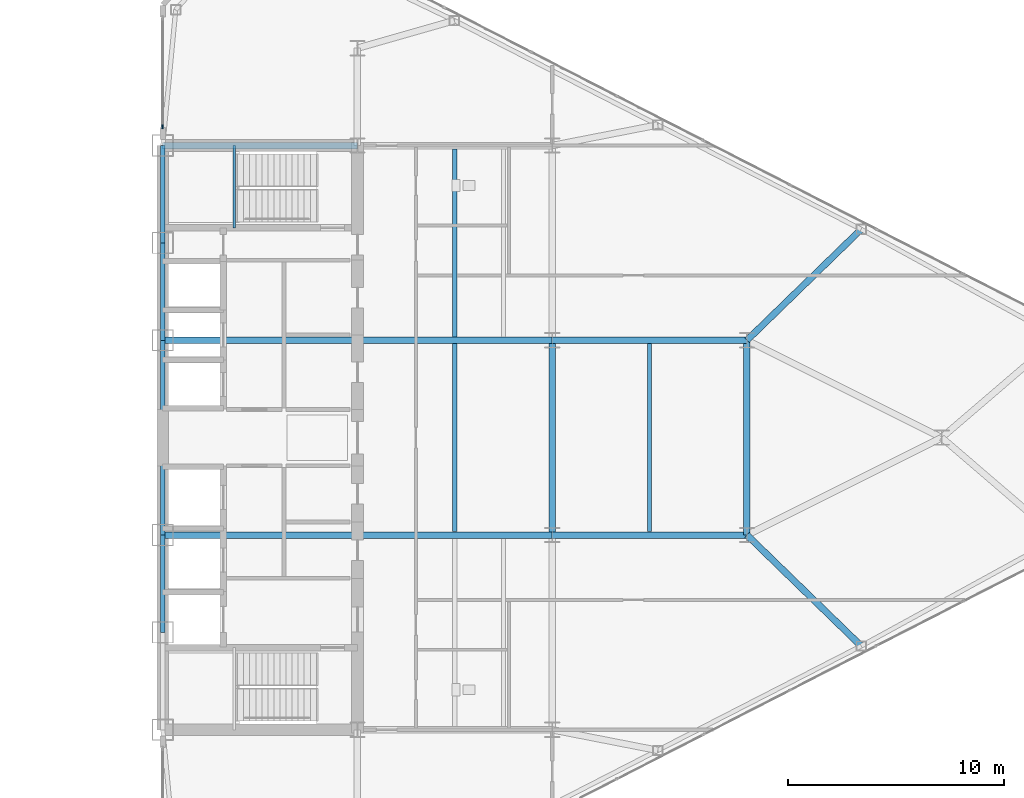
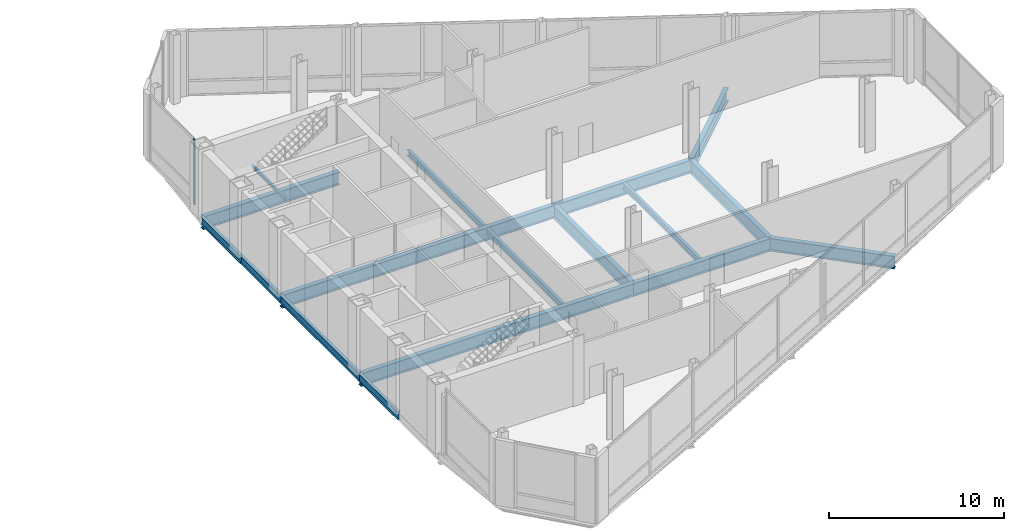
# One storey, part 10 of 22: 19 beams, 1 member, 1 element without a shape of its own.
"""IFC4 building model written with IfcOpenShell, lengths in metres."""

from ifc_helpers import new_model, si_unit, direction, frame, origin, origin_2d, place, context, subcontext, project, spatial, rectangle, i_section, extrude, source, transform, mapped, material, layer, layer_set, material_profile, profile_set, type_object, type_shapes, element, aggregate, save


model = new_model("IFC4")

# Units and contexts
model_context = context("Model", 3, precision=1e-05, world=origin(), true_north=direction((0.0, 1.0)))
body_context = subcontext(model_context, "Body", "Model", "MODEL_VIEW")
ifc_project = project(units=[si_unit("LENGTHUNIT", "METRE"), si_unit("AREAUNIT", "SQUARE_METRE"), si_unit("VOLUMEUNIT", "CUBIC_METRE"), si_unit("PLANEANGLEUNIT", "RADIAN"), si_unit("MASSUNIT", "GRAM", prefix="KILO")], contexts=[model_context])

# Site, building, storey
site_placement = place(None, origin())
site = spatial("IfcSite", under=ifc_project, at=site_placement, CompositionType="ELEMENT")
building_placement = place(site_placement, origin())
building = spatial("IfcBuilding", under=site, at=building_placement, Name="Seokmaru Belvedere", CompositionType="ELEMENT")
storey_placement = place(building_placement, frame((0.0, 0.0, 135.60009765625)))
storey = spatial("IfcBuildingStorey", under=building, at=storey_placement, Name="L36", CompositionType="ELEMENT", Elevation=135.60009765625)

# Beams
ifc_material_1 = material(Name="Steel SM355 (355 MPa)", Category="steel")
ifc_material_profile_1 = material_profile(ifc_material_1, i_section(OverallWidth=0.300048828125, OverallDepth=0.89990234375, WebThickness=0.01611328125, FlangeThickness=0.028076171875, at=origin_2d()), Name="H-900x300x16x28")
ifc_profile_set_1 = profile_set([ifc_material_profile_1], Name="Steel SM355 (355 MPa)")
beam_type_1 = type_object("IfcBeamType", Name="Refuge Floor Girder H-900", PredefinedType="BEAM", material=ifc_profile_set_1)
shared_shape_1 = source(origin(), body_context, "Body", "SweptSolid", [
    extrude(i_section(OverallWidth=0.300048828125, OverallDepth=0.89990234375, WebThickness=0.01611328125, FlangeThickness=0.028076171875, at=origin_2d()), origin(), (0.0, 0.0, 1.0), 9.0),
])
for number, where, z_axis, x_axis, name in (
    (1, (45.5, -4.5, -0.710205078125), (0.0, 1.0, 0.0), (-1.0, 0.0, 0.0), "L36 E Interior Grid Girder 2"),
    (2, (27.5, -4.5, -0.710205078125), (1.0, 0.0, 0.0), (0.0, 1.0, 0.0), "L36 E Core Tie Girder 2"),
    (3, (36.5, -4.5, -0.710205078125), (1.0, 0.0, 0.0), (0.0, 1.0, 0.0), "L36 E Wing Primary Girder 2"),
    (4, (27.5, 4.5, -0.710205078125), (1.0, 0.0, 0.0), (0.0, 1.0, 0.0), "L36 E Core Tie Girder 3"),
    (5, (36.5, 4.5, -0.710205078125), (1.0, 0.0, 0.0), (0.0, 1.0, 0.0), "L36 E Wing Primary Girder 3"),
    (6, (27.5, 13.5, -0.710205078125), (1.0, 0.0, 0.0), (0.0, 1.0, 0.0), "L36 E Core Tie Girder 4"),
    (7, (45.5, -4.5, -0.710205078125), (1.0, 0.0, 0.0), (0.0, 1.0, 0.0), "L36 E Outer Wing Girder 1"),
    (8, (45.5, 4.5, -0.710205078125), (1.0, 0.0, 0.0), (0.0, 1.0, 0.0), "L36 E Outer Wing Girder 2"),
    (9, (54.5, -4.5, -0.710205078125), (0.0, 1.0, 0.0), (-1.0, 0.0, 0.0), "L36 E Apex Frame Girder"),
):
    element("IfcBeam", number, at=place(storey_placement, frame(where, z_axis=z_axis, x_axis=x_axis)), inside=storey, type_object=beam_type_1, Name=name, PredefinedType="BEAM", context=body_context, shape_type="MappedRepresentation", body=[
        mapped(shared_shape_1, transform((0.0, 0.0, 0.0), scale=1.0)),
    ])
ifc_material_profile_2 = material_profile(ifc_material_1, i_section(OverallWidth=0.199951171875, OverallDepth=0.39990234375, WebThickness=0.008056640625, FlangeThickness=0.012939453125, at=origin_2d()), Name="H-400x200x8x13")
ifc_profile_set_2 = profile_set([ifc_material_profile_2], Name="Steel SM355 (355 MPa)")
beam_type_2 = type_object("IfcBeamType", Name="Secondary Floor Joist H-400", PredefinedType="JOIST", material=ifc_profile_set_2)
shared_shape_2 = source(origin(), body_context, "Body", "SweptSolid", [
    extrude(i_section(OverallWidth=0.199951171875, OverallDepth=0.39990234375, WebThickness=0.008056640625, FlangeThickness=0.012939453125, at=origin_2d()), origin(), (0.0, 0.0, 1.0), 8.68994140625),
])
type_shapes(beam_type_2, [shared_shape_2])
for number, where, z_axis, x_axis, name in (
    (10, (41.0, -4.344970703125, -0.460205078125), (0.0, 1.0, 0.0), (-1.0, 0.0, 0.0), "L36 E Secondary Floor Joist 2"),
    (11, (41.0, 4.655029296875, -0.460205078125), (0.0, 1.0, 0.0), (-1.0, 0.0, 0.0), "L36 E Secondary Floor Joist 3"),
    (12, (50.0, -4.344970703125, -0.460205078125), (0.0, 1.0, 0.0), (-1.0, 0.0, 0.0), "L36 E Outer Bay Secondary Joist"),
):
    element("IfcBeam", number, at=place(storey_placement, frame(where, z_axis=z_axis, x_axis=x_axis)), inside=storey, type_object=beam_type_2, Name=name, PredefinedType="JOIST", context=body_context, shape_type="MappedRepresentation", body=[
        mapped(shared_shape_2, transform((0.0, 0.0, 0.0), scale=1.0)),
    ])
ifc_material_profile_3 = material_profile(ifc_material_1, i_section(OverallWidth=0.199951171875, OverallDepth=0.550048828125, WebThickness=0.010009765625, FlangeThickness=0.01611328125, at=origin_2d()), Name="H-550x200x10x16")
ifc_profile_set_3 = profile_set([ifc_material_profile_3], Name="Steel SM355 (355 MPa)")
beam_type_3 = type_object("IfcBeamType", Name="Sky-Lobby Spandrel Beam H-550", PredefinedType="SPANDREL", material=ifc_profile_set_3)
shared_shape_3 = source(origin(), body_context, "Body", "SweptSolid", [
    extrude(i_section(OverallWidth=0.199951171875, OverallDepth=0.550048828125, WebThickness=0.010009765625, FlangeThickness=0.01611328125, at=origin_2d()), origin(), (0.0, 0.0, 1.0), 4.5),
])
for number, where, z_axis, x_axis, name in (
    (13, (27.5, -9.0, -0.53515625), (0.0, 1.0, 0.0), (-1.0, 0.0, 0.0), "L36 E Portal Spine Spandrel 2"),
    (14, (27.5, 4.5, -0.53515625), (0.0, 1.0, 0.0), (-1.0, 0.0, 0.0), "L36 E Portal Spine Spandrel 4"),
    (15, (27.5, 9.0, -0.53515625), (0.0, 1.0, 0.0), (-1.0, 0.0, 0.0), "L36 E Portal Spine Spandrel 5"),
):
    element("IfcBeam", number, at=place(storey_placement, frame(where, z_axis=z_axis, x_axis=x_axis)), inside=storey, type_object=beam_type_3, Name=name, PredefinedType="SPANDREL", context=body_context, shape_type="MappedRepresentation", body=[
        mapped(shared_shape_3, transform((0.0, 0.0, 0.0), scale=1.0)),
    ])
shared_shape_4 = source(origin(), body_context, "Body", "SweptSolid", [
    extrude(i_section(OverallWidth=0.199951171875, OverallDepth=0.550048828125, WebThickness=0.010009765625, FlangeThickness=0.01611328125, at=origin_2d()), origin(), (0.0, 0.0, 1.0), 9.0),
])
type_shapes(beam_type_3, [shared_shape_3, shared_shape_4])
beam_1_placement = place(storey_placement, frame((27.5, -4.5, -0.53515625), z_axis=(0.0, 1.0, 0.0), x_axis=(-1.0, 0.0, 0.0)))
element("IfcBeam", 16, at=beam_1_placement, inside=storey, type_object=beam_type_3, Name="L36 E Portal Spine Spandrel 3", PredefinedType="SPANDREL", context=body_context, shape_type="MappedRepresentation", body=[
    mapped(shared_shape_4, transform((0.0, 0.0, 0.0), scale=1.0)),
])
shared_shape_5 = source(origin(), body_context, "Body", "SweptSolid", [
    extrude(i_section(OverallWidth=0.300048828125, OverallDepth=0.89990234375, WebThickness=0.01611328125, FlangeThickness=0.028076171875, at=origin_2d()), origin(), (0.0, 0.0, 1.0), 7.35986328125),
])
type_shapes(beam_type_1, [shared_shape_1, shared_shape_5])
for number, where, z_axis, x_axis, name in (
    (17, (59.778564453125, -9.62890625, -0.710205078125), (-0.717200745515, 0.696866623273, 0.0), (-0.696866623273, -0.717200745515, 0.0), "L36 E Flank Radial Floor Girder S-3"),
    (18, (59.778564453125, 9.62890625, -0.710205078125), (-0.717200745515, -0.696866623273, 0.0), (0.696866623273, -0.717200745515, 0.0), "L36 E Flank Radial Floor Girder N-3"),
):
    element("IfcBeam", number, at=place(storey_placement, frame(where, z_axis=z_axis, x_axis=x_axis)), inside=storey, type_object=beam_type_1, Name=name, PredefinedType="BEAM", context=body_context, shape_type="MappedRepresentation", body=[
        mapped(shared_shape_5, transform((0.0, 0.0, 0.0), scale=1.0)),
    ])

# Curtain wall, member
ifc_material_2 = material(Name="Bronze Triple Insulating Glass", Category="glass")
ifc_layer = layer(ifc_material_2, 0.195068359375)
ifc_layer_set = layer_set([ifc_layer], Name="Bronze Triple Insulating Glass")
curtain_wall_type = type_object("IfcCurtainWallType", Name="Sky-Lobby and Mid-Rise Curtain Wall System CW-4", PredefinedType="NOTDEFINED", material=ifc_layer_set)
curtain_wall_placement = place(storey_placement, origin())
curtain_wall = element("IfcCurtainWall", 19, at=curtain_wall_placement, inside=storey, type_object=curtain_wall_type, Name="L36 Curtain Wall ESP_2", PredefinedType="NOTDEFINED")
ifc_material_3 = material(Name="Anodised Bronze Aluminium", Category="aluminium")
ifc_material_profile_4 = material_profile(ifc_material_3, rectangle(XDim=0.070068359375, YDim=0.195068359375, at=origin_2d()), Name="CW-M-70x195")
ifc_profile_set_4 = profile_set([ifc_material_profile_4], Name="Anodised Bronze Aluminium")
member_type = type_object("IfcMemberType", Name="Bronze Unitised Mullion 70x195", PredefinedType="MULLION", material=ifc_profile_set_4)
shared_shape_6 = source(origin(), body_context, "Body", "SweptSolid", [
    extrude(rectangle(XDim=0.070068359375, YDim=0.195068359375, at=origin_2d()), origin(), (0.0, 0.0, 1.0), 4.579833984375),
])
type_shapes(member_type, [shared_shape_6])
member_placement = place(storey_placement, frame((27.5, 14.364990234375, 0.0), z_axis=(0.0, 0.0, 1.0), x_axis=(1.0, 0.0, 0.0)))
member = element("IfcMember", 20, at=member_placement, type_object=member_type, Name="CW:L36:ESP_2 Mullion 2", PredefinedType="MULLION", context=body_context, shape_type="MappedRepresentation", body=[
    mapped(shared_shape_6, transform((0.0, 0.0, 0.0), scale=1.0)),
])
aggregate(curtain_wall, [member])

# Beam
ifc_material_profile_5 = material_profile(ifc_material_1, i_section(OverallWidth=0.125, OverallDepth=0.25, WebThickness=0.006103515625, FlangeThickness=0.009033203125, at=origin_2d()), Name="H-250x125x6x9")
ifc_profile_set_5 = profile_set([ifc_material_profile_5], Name="Steel SM355 (355 MPa)")
beam_type_4 = type_object("IfcBeamType", Name="Stair Mid-Landing Support Beam H-250", PredefinedType="JOIST", material=ifc_profile_set_5)
shared_shape_7 = source(origin(), body_context, "Body", "SweptSolid", [
    extrude(i_section(OverallWidth=0.125, OverallDepth=0.25, WebThickness=0.006103515625, FlangeThickness=0.009033203125, at=origin_2d()), origin(), (0.0, 0.0, 1.0), 3.800048828125),
])
type_shapes(beam_type_4, [shared_shape_7])
beam_2_placement = place(storey_placement, frame((30.81005859375, 9.699951171875, 2.074951171875), z_axis=(0.0, 1.0, 0.0), x_axis=(-1.0, 0.0, 0.0)))
element("IfcBeam", 21, at=beam_2_placement, inside=storey, type_object=beam_type_4, Name="L36 Stair ST-E2 Mid-Landing Support Beam 1", PredefinedType="JOIST", context=body_context, shape_type="MappedRepresentation", body=[
    mapped(shared_shape_7, transform((0.0, 0.0, 0.0), scale=1.0)),
])

save(model, "model.ifc")
